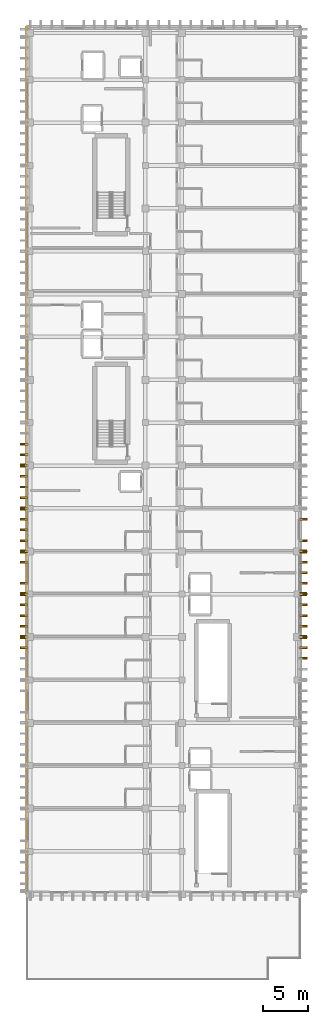
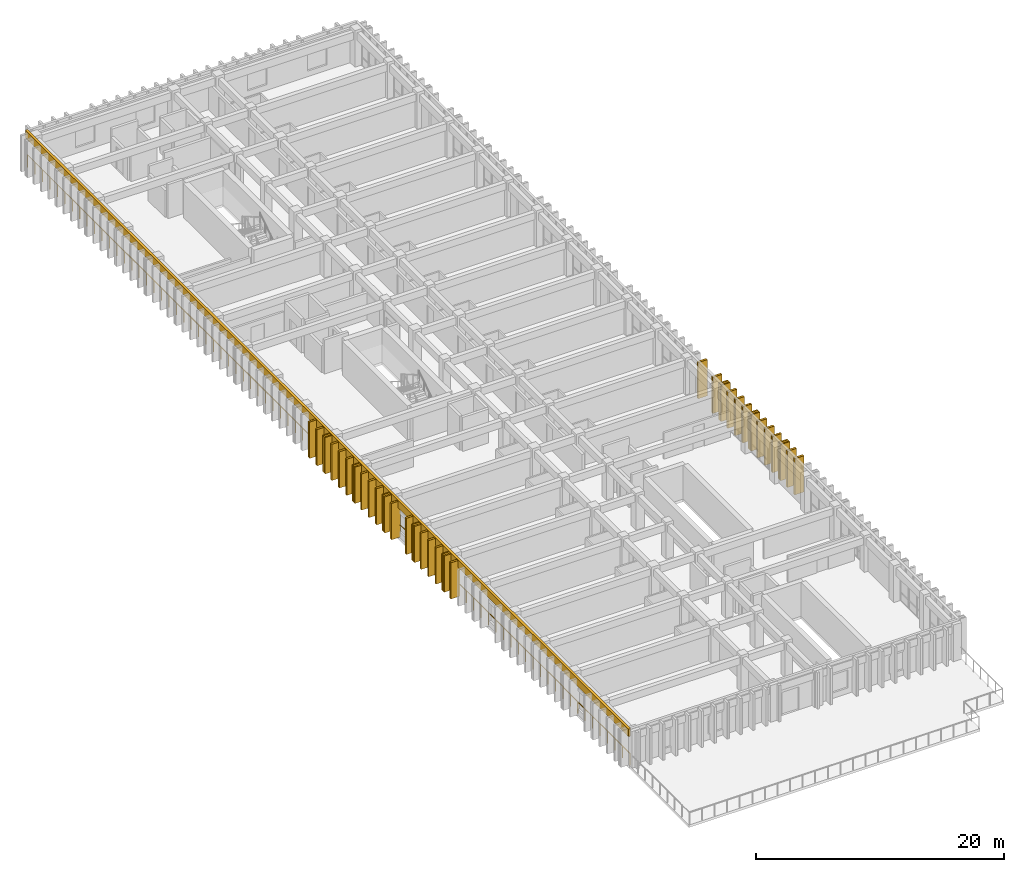
# One storey, part 64 of 68: 33 coverings, 32 shading devices, 1 railing.
"""IFC4 building model written with IfcOpenShell, lengths in metres."""

import ifcopenshell
import ifcopenshell.guid

model = None  # the IFC model being written
_history = None  # IfcOwnerHistory: only IFC2X3 demands one
_inside = {}  # id of a spatial element -> (the spatial element, [elements in it])
_under = {}  # id of a project, library or spatial element -> (it, [spatial elements below it])
_declared = {}  # id of a project -> (the project, [libraries it declares])
_typed = {}  # id of a type object -> (the type object, [elements of that type])
_made_of = {}  # id of a material, layer set ... -> (it, [elements and type objects made of it])


def new_model(schema):
    """Start an empty IFC model of exactly this schema.

    Asked for "IFC4X3", IfcOpenShell would pick the latest addendum, in which some entities
    have other attributes; the version numbers below select the first issue.
    IFC2X3 requires an IfcOwnerHistory on every rooted entity: one is made here for all.
    """
    global model, _history
    if schema == "IFC4X3":
        model = ifcopenshell.file(schema_version=(4, 3, 0, 0))
    else:
        model = ifcopenshell.file(schema=schema)
    _inside.clear()
    _under.clear()
    _declared.clear()
    _typed.clear()
    _made_of.clear()
    _history = None
    if model.schema == "IFC2X3":
        org = make("IfcOrganization", Name="unknown")
        user = make(
            "IfcPersonAndOrganization",
            ThePerson=make("IfcPerson", FamilyName="unknown"),
            TheOrganization=org,
        )
        app = make(
            "IfcApplication",
            ApplicationDeveloper=org,
            Version="unknown",
            ApplicationFullName="unknown",
            ApplicationIdentifier="unknown",
        )
        _history = make(
            "IfcOwnerHistory",
            OwningUser=user,
            OwningApplication=app,
            ChangeAction="ADDED",
            CreationDate=0,
        )
    return model


def make(cls, **values):
    """One entity of the class cls with the attributes given. An attribute that is None is left unset."""
    return model.create_entity(
        cls, **{name: value for name, value in values.items() if value is not None}
    )


def rooted(cls, **values):
    """An entity with a GlobalId (a new one), such as an element, a storey or a relation."""
    return make(cls, GlobalId=ifcopenshell.guid.new(), OwnerHistory=_history, **values)


def si_unit(unit_type, name, prefix=None):
    """IfcSIUnit, for example si_unit("LENGTHUNIT", "METRE", prefix="MILLI")."""
    return make("IfcSIUnit", UnitType=unit_type, Prefix=prefix, Name=name)


def assignment(units):
    """IfcUnitAssignment: the units of a project."""
    return None if units is None else make("IfcUnitAssignment", Units=units)


def point(xyz):
    """IfcCartesianPoint."""
    return None if xyz is None else make("IfcCartesianPoint", Coordinates=xyz)


def direction(xyz):
    """IfcDirection."""
    return None if xyz is None else make("IfcDirection", DirectionRatios=xyz)


def frame(location, z_axis=None, x_axis=None):
    """IfcAxis2Placement3D, a coordinate frame: its origin and axes. An axis left out is left unset."""
    return make(
        "IfcAxis2Placement3D",
        Location=point(location),
        Axis=direction(z_axis),
        RefDirection=direction(x_axis),
    )


def frame_2d(location, x_axis=None):
    """IfcAxis2Placement2D, a coordinate frame in the plane: its origin and x axis."""
    return make(
        "IfcAxis2Placement2D", Location=point(location), RefDirection=direction(x_axis)
    )


def origin():
    """The frame at (0, 0, 0) with its axes left unset."""
    return frame((0.0, 0.0, 0.0))


def origin_2d():
    """The frame at (0, 0) in the plane with its x axis left unset."""
    return frame_2d((0.0, 0.0))


def place(relative_to, where):
    """IfcLocalPlacement: puts the frame where relative to a parent placement (None: the world)."""
    return make(
        "IfcLocalPlacement", PlacementRelTo=relative_to, RelativePlacement=where
    )


def context(
    kind, dimensions, precision=None, world=None, true_north=None, identifier=None
):
    """IfcGeometricRepresentationContext, for example the 3D "Model" context."""
    return make(
        "IfcGeometricRepresentationContext",
        ContextIdentifier=identifier,
        ContextType=kind,
        CoordinateSpaceDimension=dimensions,
        Precision=precision,
        WorldCoordinateSystem=world,
        TrueNorth=true_north,
    )


def subcontext(parent, identifier, kind, view, scale=None):
    """IfcGeometricRepresentationSubContext, for example "Body" below "Model"."""
    return make(
        "IfcGeometricRepresentationSubContext",
        ContextIdentifier=identifier,
        ContextType=kind,
        ParentContext=parent,
        TargetScale=scale,
        TargetView=view,
    )


def project(units=None, contexts=None):
    """IfcProject with its units and contexts."""
    return rooted(
        "IfcProject",
        Name="project",
        RepresentationContexts=contexts,
        UnitsInContext=assignment(units),
    )


def spatial(cls, under=None, at=None, **own):
    """A site, building, storey or space (cls), placed at a placement, below another one or the project."""
    s = rooted(cls, ObjectPlacement=at, **own)
    if under is not None:
        _under.setdefault(under.id(), (under, []))[1].append(s)
    return s


def profile(cls, at=None, kind="AREA", **sizes):
    """A parametric profile (cls). Its sizes go by their IFC names, for example OverallWidth=200.0."""
    return make(cls, ProfileType=kind, Position=at, **sizes)


def rectangle(**sizes):
    """IfcRectangleProfileDef."""
    return profile("IfcRectangleProfileDef", **sizes)


def circle(**sizes):
    """IfcCircleProfileDef."""
    return profile("IfcCircleProfileDef", **sizes)


def extrude(swept, where, along, depth):
    """IfcExtrudedAreaSolid: the profile swept, set in the frame where, extruded along a direction by depth."""
    return make(
        "IfcExtrudedAreaSolid",
        SweptArea=swept,
        Position=where,
        ExtrudedDirection=direction(along),
        Depth=depth,
    )


def shape(context_of_items, identifier, shape_type, items):
    """IfcShapeRepresentation: the items that make up one representation, for example the "Body"."""
    return make(
        "IfcShapeRepresentation",
        ContextOfItems=context_of_items,
        RepresentationIdentifier=identifier,
        RepresentationType=shape_type,
        Items=items,
    )


def material(Name=None, Category=None):
    """IfcMaterial."""
    return make("IfcMaterial", Name=Name, Category=Category)


def layer(
    of_material, thickness, ventilated=None, Name=None, Category=None, Priority=None
):
    """IfcMaterialLayer: one layer of a wall or slab, of a material (None: an air gap)."""
    return make(
        "IfcMaterialLayer",
        Material=of_material,
        LayerThickness=thickness,
        IsVentilated=ventilated,
        Name=Name,
        Category=Category,
        Priority=Priority,
    )


def layer_set(layers, Name=None):
    """IfcMaterialLayerSet."""
    return make("IfcMaterialLayerSet", MaterialLayers=layers, LayerSetName=Name)


def made_of(thing, what):
    """Note that an element or type object is made of a material, layer set ...; save() writes the relation."""
    if what is not None:
        _made_of.setdefault(what.id(), (what, []))[1].append(thing)
    return thing


def type_object(cls, material=None, **own):
    """A type object (cls), such as IfcWallType, which elements share."""
    return made_of(rooted(cls, **own), material)


def element(
    cls,
    number,
    at=None,
    inside=None,
    cuts=None,
    type_object=None,
    material=None,
    context=None,
    identifier="Body",
    shape_type=None,
    held_by="IfcProductDefinitionShape",
    body=None,
    shapes=None,
    **own,
):
    """One element of the class cls, such as IfcWall. Its Tag is "e" and its number.

    at: its placement. inside: the storey or other place that contains it. cuts: it is an
    opening in that element (IfcRelVoidsElement). A single representation is given by context,
    identifier, shape_type and body (its items); several are given by shapes. held_by: the class
    of the entity that holds the representations. save() writes the other relations.
    """
    e = rooted(cls, Tag="e%d" % number, ObjectPlacement=at, **own)
    if body is not None:
        shapes = [shape(context, identifier, shape_type, body)]
    if shapes is not None:
        e.Representation = make(held_by, Representations=shapes)
    if inside is not None:
        _inside.setdefault(inside.id(), (inside, []))[1].append(e)
    if cuts is not None:
        rooted(
            "IfcRelVoidsElement", RelatingBuildingElement=cuts, RelatedOpeningElement=e
        )
    if type_object is not None:
        _typed.setdefault(type_object.id(), (type_object, []))[1].append(e)
    return made_of(e, material)


def aggregate(whole, parts):
    """IfcRelAggregates: a whole, such as a stair, and the parts it consists of."""
    return rooted("IfcRelAggregates", RelatingObject=whole, RelatedObjects=parts)


def save(model, path):
    """Write the relations noted so far, then the file.

    IfcRelAggregates (storeys below a building ...), IfcRelContainedInSpatialStructure (elements
    in a storey), IfcRelDefinesByType, IfcRelAssociatesMaterial and IfcRelDeclares: one each for
    every whole, place, type object, material and project.
    """
    for whole, parts in _under.values():
        aggregate(whole, parts)
    for where, things in _inside.values():
        rooted(
            "IfcRelContainedInSpatialStructure",
            RelatedElements=things,
            RelatingStructure=where,
        )
    for kind, things in _typed.values():
        rooted("IfcRelDefinesByType", RelatedObjects=things, RelatingType=kind)
    for what, things in _made_of.values():
        rooted("IfcRelAssociatesMaterial", RelatedObjects=things, RelatingMaterial=what)
    for by, libraries in _declared.values():
        rooted("IfcRelDeclares", RelatingContext=by, RelatedDefinitions=libraries)
    model.write(path)


model = new_model("IFC4")

# Units and contexts
model_context = context("Model", 3, precision=1e-05, world=origin(), true_north=direction((0.0, 1.0)))
body_context = subcontext(model_context, "Body", "Model", "MODEL_VIEW")
ifc_project = project(units=[si_unit("LENGTHUNIT", "METRE"), si_unit("AREAUNIT", "SQUARE_METRE"), si_unit("VOLUMEUNIT", "CUBIC_METRE"), si_unit("PLANEANGLEUNIT", "RADIAN"), si_unit("MASSUNIT", "GRAM", prefix="KILO")], contexts=[model_context])

# Site, building, storey
site_placement = place(None, origin())
site = spatial("IfcSite", under=ifc_project, at=site_placement, CompositionType="ELEMENT")
building_placement = place(site_placement, origin())
building = spatial("IfcBuilding", under=site, at=building_placement, Name="Nakhvara Creek Congress Hotel", CompositionType="ELEMENT")
storey_placement = place(building_placement, frame((0.0, 0.0, 24.60009765625)))
storey = spatial("IfcBuildingStorey", under=building, at=storey_placement, Name="L05", CompositionType="ELEMENT", Elevation=24.60009765625)

# Coverings
ifc_material_1 = material(Name="Honed pale Omani limestone architectural cladding", Category="masonry")
ifc_layer_1 = layer(ifc_material_1, 0.219970703125)
ifc_layer_set_1 = layer_set([ifc_layer_1], Name="Honed pale Omani limestone architectural cladding")
covering_type_1 = type_object("IfcCoveringType", Name="COV-FIN-850", PredefinedType="CLADDING", material=ifc_layer_set_1)
for number, where, z_axis, x_axis, name in (
    (1, (180.054931640625, 55.199951171875, -0.000244140625), (0.0, 0.0, 1.0), (0.0, 1.0, 0.0), "Pale Limestone Fin Cladding CF01-1460"),
    (2, (180.054931640625, 56.39990234375, -0.000244140625), (0.0, 0.0, 1.0), (0.0, 1.0, 0.0), "Pale Limestone Fin Cladding CF01-1462"),
    (3, (148.7451171875, 56.39990234375, -0.000244140625), (0.0, 0.0, 1.0), (0.0, 1.0, 0.0), "Pale Limestone Fin Cladding CF01-1463"),
):
    element("IfcCovering", number, at=place(storey_placement, frame(where, z_axis=z_axis, x_axis=x_axis)), inside=storey, type_object=covering_type_1, Name=name, PredefinedType="CLADDING", context=body_context, shape_type="SweptSolid", body=[
        extrude(rectangle(XDim=0.219970703125, YDim=0.85009765625, at=origin_2d()), origin(), (0.0, 0.0, 1.0), 3.56005859375),
    ])
for number, where, z_axis, x_axis, name in (
    (4, (180.054931640625, 57.60009765625, -0.000244140625), (0.0, 0.0, 1.0), (0.0, 1.0, 0.0), "Pale Limestone Fin Cladding CF01-1464"),
    (5, (148.7451171875, 57.60009765625, -0.000244140625), (0.0, 0.0, 1.0), (0.0, 1.0, 0.0), "Pale Limestone Fin Cladding CF01-1465"),
):
    element("IfcCovering", number, at=place(storey_placement, frame(where, z_axis=z_axis, x_axis=x_axis)), inside=storey, type_object=covering_type_1, Name=name, PredefinedType="CLADDING", context=body_context, shape_type="SweptSolid", body=[
        extrude(rectangle(XDim=0.43994140625, YDim=0.85009765625, at=origin_2d()), origin(), (0.0, 0.0, 1.0), 3.56005859375),
    ])
for number, where, z_axis, x_axis, name in (
    (6, (180.054931640625, 58.800048828125, -0.000244140625), (0.0, 0.0, 1.0), (0.0, 1.0, 0.0), "Pale Limestone Fin Cladding CF01-1466"),
    (7, (148.7451171875, 58.800048828125, -0.000244140625), (0.0, 0.0, 1.0), (0.0, 1.0, 0.0), "Pale Limestone Fin Cladding CF01-1467"),
    (8, (180.054931640625, 60.0, -0.000244140625), (0.0, 0.0, 1.0), (0.0, 1.0, 0.0), "Pale Limestone Fin Cladding CF01-1468"),
    (9, (148.7451171875, 60.0, -0.000244140625), (0.0, 0.0, 1.0), (0.0, 1.0, 0.0), "Pale Limestone Fin Cladding CF01-1469"),
    (10, (180.054931640625, 61.199951171875, -0.000244140625), (0.0, 0.0, 1.0), (0.0, 1.0, 0.0), "Pale Limestone Fin Cladding CF01-1470"),
    (11, (148.7451171875, 61.199951171875, -0.000244140625), (0.0, 0.0, 1.0), (0.0, 1.0, 0.0), "Pale Limestone Fin Cladding CF01-1471"),
):
    element("IfcCovering", number, at=place(storey_placement, frame(where, z_axis=z_axis, x_axis=x_axis)), inside=storey, type_object=covering_type_1, Name=name, PredefinedType="CLADDING", context=body_context, shape_type="SweptSolid", body=[
        extrude(rectangle(XDim=0.219970703125, YDim=0.85009765625, at=origin_2d()), origin(), (0.0, 0.0, 1.0), 3.56005859375),
    ])
for number, where, z_axis, x_axis, name in (
    (12, (180.054931640625, 62.39990234375, -0.000244140625), (0.0, 0.0, 1.0), (0.0, 1.0, 0.0), "Pale Limestone Fin Cladding CF01-1472"),
    (13, (148.7451171875, 62.39990234375, -0.000244140625), (0.0, 0.0, 1.0), (0.0, 1.0, 0.0), "Pale Limestone Fin Cladding CF01-1473"),
):
    element("IfcCovering", number, at=place(storey_placement, frame(where, z_axis=z_axis, x_axis=x_axis)), inside=storey, type_object=covering_type_1, Name=name, PredefinedType="CLADDING", context=body_context, shape_type="SweptSolid", body=[
        extrude(rectangle(XDim=0.43994140625, YDim=0.85009765625, at=origin_2d()), origin(), (0.0, 0.0, 1.0), 3.56005859375),
    ])
for number, where, z_axis, x_axis, name in (
    (14, (180.054931640625, 63.60009765625, -0.000244140625), (0.0, 0.0, 1.0), (0.0, 1.0, 0.0), "Pale Limestone Fin Cladding CF01-1474"),
    (15, (148.7451171875, 63.60009765625, -0.000244140625), (0.0, 0.0, 1.0), (0.0, 1.0, 0.0), "Pale Limestone Fin Cladding CF01-1475"),
    (16, (180.054931640625, 64.800048828125, -0.000244140625), (0.0, 0.0, 1.0), (0.0, 1.0, 0.0), "Pale Limestone Fin Cladding CF01-1476"),
    (17, (180.054931640625, 66.0, -0.000244140625), (0.0, 0.0, 1.0), (0.0, 1.0, 0.0), "Pale Limestone Fin Cladding CF01-1477"),
    (18, (148.7451171875, 66.0, -0.000244140625), (0.0, 0.0, 1.0), (0.0, 1.0, 0.0), "Pale Limestone Fin Cladding CF01-1478"),
):
    element("IfcCovering", number, at=place(storey_placement, frame(where, z_axis=z_axis, x_axis=x_axis)), inside=storey, type_object=covering_type_1, Name=name, PredefinedType="CLADDING", context=body_context, shape_type="SweptSolid", body=[
        extrude(rectangle(XDim=0.219970703125, YDim=0.85009765625, at=origin_2d()), origin(), (0.0, 0.0, 1.0), 3.56005859375),
    ])
for number, where, z_axis, x_axis, name in (
    (19, (180.054931640625, 67.199951171875, -0.000244140625), (0.0, 0.0, 1.0), (0.0, 1.0, 0.0), "Pale Limestone Fin Cladding CF01-1479"),
    (20, (148.7451171875, 67.199951171875, -0.000244140625), (0.0, 0.0, 1.0), (0.0, 1.0, 0.0), "Pale Limestone Fin Cladding CF01-1480"),
):
    element("IfcCovering", number, at=place(storey_placement, frame(where, z_axis=z_axis, x_axis=x_axis)), inside=storey, type_object=covering_type_1, Name=name, PredefinedType="CLADDING", context=body_context, shape_type="SweptSolid", body=[
        extrude(rectangle(XDim=0.43994140625, YDim=0.85009765625, at=origin_2d()), origin(), (0.0, 0.0, 1.0), 3.56005859375),
    ])
for number, where, z_axis, x_axis, name in (
    (21, (180.054931640625, 68.39990234375, -0.000244140625), (0.0, 0.0, 1.0), (0.0, 1.0, 0.0), "Pale Limestone Fin Cladding CF01-1481"),
    (22, (148.7451171875, 68.39990234375, -0.000244140625), (0.0, 0.0, 1.0), (0.0, 1.0, 0.0), "Pale Limestone Fin Cladding CF01-1482"),
    (23, (148.7451171875, 69.60009765625, -0.000244140625), (0.0, 0.0, 1.0), (0.0, 1.0, 0.0), "Pale Limestone Fin Cladding CF01-1483"),
    (24, (180.054931640625, 70.800048828125, -0.000244140625), (0.0, 0.0, 1.0), (0.0, 1.0, 0.0), "Pale Limestone Fin Cladding CF01-1484"),
    (25, (148.7451171875, 70.800048828125, -0.000244140625), (0.0, 0.0, 1.0), (0.0, 1.0, 0.0), "Pale Limestone Fin Cladding CF01-1485"),
):
    element("IfcCovering", number, at=place(storey_placement, frame(where, z_axis=z_axis, x_axis=x_axis)), inside=storey, type_object=covering_type_1, Name=name, PredefinedType="CLADDING", context=body_context, shape_type="SweptSolid", body=[
        extrude(rectangle(XDim=0.219970703125, YDim=0.85009765625, at=origin_2d()), origin(), (0.0, 0.0, 1.0), 3.56005859375),
    ])
covering_1_placement = place(storey_placement, frame((148.7451171875, 72.0, -0.000244140625), z_axis=(0.0, 0.0, 1.0), x_axis=(0.0, 1.0, 0.0)))
element("IfcCovering", 26, at=covering_1_placement, inside=storey, type_object=covering_type_1, Name="Pale Limestone Fin Cladding CF01-1487", PredefinedType="CLADDING", context=body_context, shape_type="SweptSolid", body=[
    extrude(rectangle(XDim=0.43994140625, YDim=0.85009765625, at=origin_2d()), origin(), (0.0, 0.0, 1.0), 3.56005859375),
])
for number, where, z_axis, x_axis, name in (
    (27, (148.7451171875, 73.199951171875, -0.000244140625), (0.0, 0.0, 1.0), (0.0, 1.0, 0.0), "Pale Limestone Fin Cladding CF01-1489"),
    (28, (148.7451171875, 74.39990234375, -0.000244140625), (0.0, 0.0, 1.0), (0.0, 1.0, 0.0), "Pale Limestone Fin Cladding CF01-1491"),
    (29, (148.7451171875, 75.60009765625, -0.000244140625), (0.0, 0.0, 1.0), (0.0, 1.0, 0.0), "Pale Limestone Fin Cladding CF01-1493"),
):
    element("IfcCovering", number, at=place(storey_placement, frame(where, z_axis=z_axis, x_axis=x_axis)), inside=storey, type_object=covering_type_1, Name=name, PredefinedType="CLADDING", context=body_context, shape_type="SweptSolid", body=[
        extrude(rectangle(XDim=0.219970703125, YDim=0.85009765625, at=origin_2d()), origin(), (0.0, 0.0, 1.0), 3.56005859375),
    ])
covering_2_placement = place(storey_placement, frame((148.7451171875, 76.800048828125, -0.000244140625), z_axis=(0.0, 0.0, 1.0), x_axis=(0.0, 1.0, 0.0)))
element("IfcCovering", 30, at=covering_2_placement, inside=storey, type_object=covering_type_1, Name="Pale Limestone Fin Cladding CF01-1495", PredefinedType="CLADDING", context=body_context, shape_type="SweptSolid", body=[
    extrude(rectangle(XDim=0.43994140625, YDim=0.85009765625, at=origin_2d()), origin(), (0.0, 0.0, 1.0), 3.56005859375),
])
for number, where, z_axis, x_axis, name in (
    (31, (148.7451171875, 78.0, -0.000244140625), (0.0, 0.0, 1.0), (0.0, 1.0, 0.0), "Pale Limestone Fin Cladding CF01-1497"),
    (32, (148.7451171875, 79.199951171875, -0.000244140625), (0.0, 0.0, 1.0), (0.0, 1.0, 0.0), "Pale Limestone Fin Cladding CF01-1499"),
):
    element("IfcCovering", number, at=place(storey_placement, frame(where, z_axis=z_axis, x_axis=x_axis)), inside=storey, type_object=covering_type_1, Name=name, PredefinedType="CLADDING", context=body_context, shape_type="SweptSolid", body=[
        extrude(rectangle(XDim=0.219970703125, YDim=0.85009765625, at=origin_2d()), origin(), (0.0, 0.0, 1.0), 3.56005859375),
    ])
ifc_layer_2 = layer(ifc_material_1, 0.179931640625)
ifc_layer_set_2 = layer_set([ifc_layer_2], Name="Honed pale Omani limestone architectural cladding")
covering_type_2 = type_object("IfcCoveringType", Name="COV-SPN-180", PredefinedType="CLADDING", material=ifc_layer_set_2)
covering_3_placement = place(storey_placement, frame((149.06005859375, 77.39990234375, 2.909912109375), z_axis=(0.0, 0.0, 1.0), x_axis=(0.0, 1.0, 0.0)))
element("IfcCovering", 33, at=covering_3_placement, inside=storey, type_object=covering_type_2, Name="Pale Limestone Spandrel Band CF02-0062", PredefinedType="CLADDING", context=body_context, shape_type="SweptSolid", body=[
    extrude(rectangle(XDim=97.199951171875, YDim=0.219970703125, at=origin_2d()), origin(), (0.0, 0.0, 1.0), 0.72998046875),
])

# Railing
ifc_material_2 = material(Name="Brushed stainless steel 316L", Category="steel")
railing_type = type_object("IfcRailingType", Name="RL-GUARD-1200", PredefinedType="GUARDRAIL", material=ifc_material_2)
railing_placement = place(storey_placement, frame((149.1298828125, 28.8798828125, 0.0)))
element("IfcRailing", 34, at=railing_placement, inside=storey, type_object=railing_type, Name="Perimeter Safety Rail West L05", PredefinedType="GUARDRAIL", context=body_context, shape_type="SweptSolid", body=[
    extrude(circle(Radius=0.02392578125, at=origin_2d()), frame((0.0, 0.0146484375, 1.17578125), z_axis=(0.0, 1.0, 0.0), x_axis=(-1.0, 0.0, 0.0)), (0.0, 0.0, 1.0), 97.0107421875),
    extrude(circle(Radius=0.02099609375, at=origin_2d()), origin(), (0.0, 0.0, 1.0), 1.1806640625),
    extrude(circle(Radius=0.02099609375, at=origin_2d()), frame((0.0, 1.197998046875, 0.0)), (0.0, 0.0, 1.0), 1.1806640625),
    extrude(circle(Radius=0.02099609375, at=origin_2d()), frame((0.0, 2.39599609375, 0.0)), (0.0, 0.0, 1.0), 1.1806640625),
    extrude(circle(Radius=0.02099609375, at=origin_2d()), frame((0.0, 3.593994140625, 0.0)), (0.0, 0.0, 1.0), 1.1806640625),
    extrude(circle(Radius=0.02099609375, at=origin_2d()), frame((0.0, 4.7919921875, 0.0)), (0.0, 0.0, 1.0), 1.1806640625),
    extrude(circle(Radius=0.02099609375, at=origin_2d()), frame((0.0, 5.990234375, 0.0)), (0.0, 0.0, 1.0), 1.1806640625),
    extrude(circle(Radius=0.02099609375, at=origin_2d()), frame((0.0, 7.188232421875, 0.0)), (0.0, 0.0, 1.0), 1.1806640625),
    extrude(circle(Radius=0.02099609375, at=origin_2d()), frame((0.0, 8.38623046875, 0.0)), (0.0, 0.0, 1.0), 1.1806640625),
    extrude(circle(Radius=0.02099609375, at=origin_2d()), frame((0.0, 9.584228515625, 0.0)), (0.0, 0.0, 1.0), 1.1806640625),
    extrude(circle(Radius=0.02099609375, at=origin_2d()), frame((0.0, 10.7822265625, 0.0)), (0.0, 0.0, 1.0), 1.1806640625),
    extrude(circle(Radius=0.02099609375, at=origin_2d()), frame((0.0, 11.980224609375, 0.0)), (0.0, 0.0, 1.0), 1.1806640625),
    extrude(circle(Radius=0.02099609375, at=origin_2d()), frame((0.0, 13.17822265625, 0.0)), (0.0, 0.0, 1.0), 1.1806640625),
    extrude(circle(Radius=0.02099609375, at=origin_2d()), frame((0.0, 14.376220703125, 0.0)), (0.0, 0.0, 1.0), 1.1806640625),
    extrude(circle(Radius=0.02099609375, at=origin_2d()), frame((0.0, 15.57421875, 0.0)), (0.0, 0.0, 1.0), 1.1806640625),
    extrude(circle(Radius=0.02099609375, at=origin_2d()), frame((0.0, 16.7724609375, 0.0)), (0.0, 0.0, 1.0), 1.1806640625),
    extrude(circle(Radius=0.02099609375, at=origin_2d()), frame((0.0, 17.970458984375, 0.0)), (0.0, 0.0, 1.0), 1.1806640625),
    extrude(circle(Radius=0.02099609375, at=origin_2d()), frame((0.0, 19.16845703125, 0.0)), (0.0, 0.0, 1.0), 1.1806640625),
    extrude(circle(Radius=0.02099609375, at=origin_2d()), frame((0.0, 20.366455078125, 0.0)), (0.0, 0.0, 1.0), 1.1806640625),
    extrude(circle(Radius=0.02099609375, at=origin_2d()), frame((0.0, 21.564453125, 0.0)), (0.0, 0.0, 1.0), 1.1806640625),
    extrude(circle(Radius=0.02099609375, at=origin_2d()), frame((0.0, 22.762451171875, 0.0)), (0.0, 0.0, 1.0), 1.1806640625),
    extrude(circle(Radius=0.02099609375, at=origin_2d()), frame((0.0, 23.96044921875, 0.0)), (0.0, 0.0, 1.0), 1.1806640625),
    extrude(circle(Radius=0.02099609375, at=origin_2d()), frame((0.0, 25.158447265625, 0.0)), (0.0, 0.0, 1.0), 1.1806640625),
    extrude(circle(Radius=0.02099609375, at=origin_2d()), frame((0.0, 26.3564453125, 0.0)), (0.0, 0.0, 1.0), 1.1806640625),
    extrude(circle(Radius=0.02099609375, at=origin_2d()), frame((0.0, 27.5546875, 0.0)), (0.0, 0.0, 1.0), 1.1806640625),
    extrude(circle(Radius=0.02099609375, at=origin_2d()), frame((0.0, 28.752685546875, 0.0)), (0.0, 0.0, 1.0), 1.1806640625),
    extrude(circle(Radius=0.02099609375, at=origin_2d()), frame((0.0, 29.95068359375, 0.0)), (0.0, 0.0, 1.0), 1.1806640625),
    extrude(circle(Radius=0.02099609375, at=origin_2d()), frame((0.0, 31.148681640625, 0.0)), (0.0, 0.0, 1.0), 1.1806640625),
    extrude(circle(Radius=0.02099609375, at=origin_2d()), frame((0.0, 32.3466796875, 0.0)), (0.0, 0.0, 1.0), 1.1806640625),
    extrude(circle(Radius=0.02099609375, at=origin_2d()), frame((0.0, 33.544677734375, 0.0)), (0.0, 0.0, 1.0), 1.1806640625),
    extrude(circle(Radius=0.02099609375, at=origin_2d()), frame((0.0, 34.74267578125, 0.0)), (0.0, 0.0, 1.0), 1.1806640625),
    extrude(circle(Radius=0.02099609375, at=origin_2d()), frame((0.0, 35.940673828125, 0.0)), (0.0, 0.0, 1.0), 1.1806640625),
    extrude(circle(Radius=0.02099609375, at=origin_2d()), frame((0.0, 37.138671875, 0.0)), (0.0, 0.0, 1.0), 1.1806640625),
    extrude(circle(Radius=0.02099609375, at=origin_2d()), frame((0.0, 38.3369140625, 0.0)), (0.0, 0.0, 1.0), 1.1806640625),
    extrude(circle(Radius=0.02099609375, at=origin_2d()), frame((0.0, 39.534912109375, 0.0)), (0.0, 0.0, 1.0), 1.1806640625),
    extrude(circle(Radius=0.02099609375, at=origin_2d()), frame((0.0, 40.73291015625, 0.0)), (0.0, 0.0, 1.0), 1.1806640625),
    extrude(circle(Radius=0.02099609375, at=origin_2d()), frame((0.0, 41.930908203125, 0.0)), (0.0, 0.0, 1.0), 1.1806640625),
    extrude(circle(Radius=0.02099609375, at=origin_2d()), frame((0.0, 43.12890625, 0.0)), (0.0, 0.0, 1.0), 1.1806640625),
    extrude(circle(Radius=0.02099609375, at=origin_2d()), frame((0.0, 44.326904296875, 0.0)), (0.0, 0.0, 1.0), 1.1806640625),
    extrude(circle(Radius=0.02099609375, at=origin_2d()), frame((0.0, 45.52490234375, 0.0)), (0.0, 0.0, 1.0), 1.1806640625),
    extrude(circle(Radius=0.02099609375, at=origin_2d()), frame((0.0, 46.722900390625, 0.0)), (0.0, 0.0, 1.0), 1.1806640625),
    extrude(circle(Radius=0.02099609375, at=origin_2d()), frame((0.0, 47.9208984375, 0.0)), (0.0, 0.0, 1.0), 1.1806640625),
    extrude(circle(Radius=0.02099609375, at=origin_2d()), frame((0.0, 49.119140625, 0.0)), (0.0, 0.0, 1.0), 1.1806640625),
    extrude(circle(Radius=0.02099609375, at=origin_2d()), frame((0.0, 50.317138671875, 0.0)), (0.0, 0.0, 1.0), 1.1806640625),
    extrude(circle(Radius=0.02099609375, at=origin_2d()), frame((0.0, 51.51513671875, 0.0)), (0.0, 0.0, 1.0), 1.1806640625),
    extrude(circle(Radius=0.02099609375, at=origin_2d()), frame((0.0, 52.713134765625, 0.0)), (0.0, 0.0, 1.0), 1.1806640625),
    extrude(circle(Radius=0.02099609375, at=origin_2d()), frame((0.0, 53.9111328125, 0.0)), (0.0, 0.0, 1.0), 1.1806640625),
    extrude(circle(Radius=0.02099609375, at=origin_2d()), frame((0.0, 55.109130859375, 0.0)), (0.0, 0.0, 1.0), 1.1806640625),
    extrude(circle(Radius=0.02099609375, at=origin_2d()), frame((0.0, 56.30712890625, 0.0)), (0.0, 0.0, 1.0), 1.1806640625),
    extrude(circle(Radius=0.02099609375, at=origin_2d()), frame((0.0, 57.505126953125, 0.0)), (0.0, 0.0, 1.0), 1.1806640625),
    extrude(circle(Radius=0.02099609375, at=origin_2d()), frame((0.0, 58.703125, 0.0)), (0.0, 0.0, 1.0), 1.1806640625),
    extrude(circle(Radius=0.02099609375, at=origin_2d()), frame((0.0, 59.9013671875, 0.0)), (0.0, 0.0, 1.0), 1.1806640625),
    extrude(circle(Radius=0.02099609375, at=origin_2d()), frame((0.0, 61.099365234375, 0.0)), (0.0, 0.0, 1.0), 1.1806640625),
    extrude(circle(Radius=0.02099609375, at=origin_2d()), frame((0.0, 62.29736328125, 0.0)), (0.0, 0.0, 1.0), 1.1806640625),
    extrude(circle(Radius=0.02099609375, at=origin_2d()), frame((0.0, 63.495361328125, 0.0)), (0.0, 0.0, 1.0), 1.1806640625),
    extrude(circle(Radius=0.02099609375, at=origin_2d()), frame((0.0, 64.693359375, 0.0)), (0.0, 0.0, 1.0), 1.1806640625),
    extrude(circle(Radius=0.02099609375, at=origin_2d()), frame((0.0, 65.891357421875, 0.0)), (0.0, 0.0, 1.0), 1.1806640625),
    extrude(circle(Radius=0.02099609375, at=origin_2d()), frame((0.0, 67.08935546875, 0.0)), (0.0, 0.0, 1.0), 1.1806640625),
    extrude(circle(Radius=0.02099609375, at=origin_2d()), frame((0.0, 68.287353515625, 0.0)), (0.0, 0.0, 1.0), 1.1806640625),
    extrude(circle(Radius=0.02099609375, at=origin_2d()), frame((0.0, 69.4853515625, 0.0)), (0.0, 0.0, 1.0), 1.1806640625),
    extrude(circle(Radius=0.02099609375, at=origin_2d()), frame((0.0, 70.68359375, 0.0)), (0.0, 0.0, 1.0), 1.1806640625),
    extrude(circle(Radius=0.02099609375, at=origin_2d()), frame((0.0, 71.881591796875, 0.0)), (0.0, 0.0, 1.0), 1.1806640625),
    extrude(circle(Radius=0.02099609375, at=origin_2d()), frame((0.0, 73.07958984375, 0.0)), (0.0, 0.0, 1.0), 1.1806640625),
    extrude(circle(Radius=0.02099609375, at=origin_2d()), frame((0.0, 74.277587890625, 0.0)), (0.0, 0.0, 1.0), 1.1806640625),
    extrude(circle(Radius=0.02099609375, at=origin_2d()), frame((0.0, 75.4755859375, 0.0)), (0.0, 0.0, 1.0), 1.1806640625),
    extrude(circle(Radius=0.02099609375, at=origin_2d()), frame((0.0, 76.673583984375, 0.0)), (0.0, 0.0, 1.0), 1.1806640625),
    extrude(circle(Radius=0.02099609375, at=origin_2d()), frame((0.0, 77.87158203125, 0.0)), (0.0, 0.0, 1.0), 1.1806640625),
    extrude(circle(Radius=0.02099609375, at=origin_2d()), frame((0.0, 79.069580078125, 0.0)), (0.0, 0.0, 1.0), 1.1806640625),
    extrude(circle(Radius=0.02099609375, at=origin_2d()), frame((0.0, 80.267578125, 0.0)), (0.0, 0.0, 1.0), 1.1806640625),
    extrude(circle(Radius=0.02099609375, at=origin_2d()), frame((0.0, 81.4658203125, 0.0)), (0.0, 0.0, 1.0), 1.1806640625),
    extrude(circle(Radius=0.02099609375, at=origin_2d()), frame((0.0, 82.663818359375, 0.0)), (0.0, 0.0, 1.0), 1.1806640625),
    extrude(circle(Radius=0.02099609375, at=origin_2d()), frame((0.0, 83.86181640625, 0.0)), (0.0, 0.0, 1.0), 1.1806640625),
    extrude(circle(Radius=0.02099609375, at=origin_2d()), frame((0.0, 85.059814453125, 0.0)), (0.0, 0.0, 1.0), 1.1806640625),
    extrude(circle(Radius=0.02099609375, at=origin_2d()), frame((0.0, 86.2578125, 0.0)), (0.0, 0.0, 1.0), 1.1806640625),
    extrude(circle(Radius=0.02099609375, at=origin_2d()), frame((0.0, 87.455810546875, 0.0)), (0.0, 0.0, 1.0), 1.1806640625),
    extrude(circle(Radius=0.02099609375, at=origin_2d()), frame((0.0, 88.65380859375, 0.0)), (0.0, 0.0, 1.0), 1.1806640625),
    extrude(circle(Radius=0.02099609375, at=origin_2d()), frame((0.0, 89.851806640625, 0.0)), (0.0, 0.0, 1.0), 1.1806640625),
    extrude(circle(Radius=0.02099609375, at=origin_2d()), frame((0.0, 91.0498046875, 0.0)), (0.0, 0.0, 1.0), 1.1806640625),
    extrude(circle(Radius=0.02099609375, at=origin_2d()), frame((0.0, 92.248046875, 0.0)), (0.0, 0.0, 1.0), 1.1806640625),
    extrude(circle(Radius=0.02099609375, at=origin_2d()), frame((0.0, 93.446044921875, 0.0)), (0.0, 0.0, 1.0), 1.1806640625),
    extrude(circle(Radius=0.02099609375, at=origin_2d()), frame((0.0, 94.64404296875, 0.0)), (0.0, 0.0, 1.0), 1.1806640625),
    extrude(circle(Radius=0.02099609375, at=origin_2d()), frame((0.0, 95.842041015625, 0.0)), (0.0, 0.0, 1.0), 1.1806640625),
    extrude(circle(Radius=0.02099609375, at=origin_2d()), frame((0.0, 97.0400390625, 0.0)), (0.0, 0.0, 1.0), 1.1806640625),
])

# Shading devices
ifc_material_3 = material(Name="Honed pale Omani limestone cladding on stainless steel spine", Category="masonry")
shading_device_type = type_object("IfcShadingDeviceType", Name="SHD-FIN-850X3600", PredefinedType="USERDEFINED", material=ifc_material_3)
for number, where, z_axis, x_axis, name in (
    (35, (180.054931640625, 55.199951171875, -0.000244140625), (0.0, 0.0, 1.0), (0.0, 1.0, 0.0), "Limestone Solar Fin FN01-1325"),
    (36, (180.054931640625, 56.39990234375, -0.000244140625), (0.0, 0.0, 1.0), (0.0, 1.0, 0.0), "Limestone Solar Fin FN01-1327"),
    (37, (148.7451171875, 56.39990234375, -0.000244140625), (0.0, 0.0, 1.0), (0.0, 1.0, 0.0), "Limestone Solar Fin FN01-1328"),
    (38, (180.054931640625, 57.60009765625, -0.000244140625), (0.0, 0.0, 1.0), (0.0, 1.0, 0.0), "Limestone Solar Fin FN01-1329"),
    (39, (148.7451171875, 57.60009765625, -0.000244140625), (0.0, 0.0, 1.0), (0.0, 1.0, 0.0), "Limestone Solar Fin FN01-1330"),
    (40, (180.054931640625, 58.800048828125, -0.000244140625), (0.0, 0.0, 1.0), (0.0, 1.0, 0.0), "Limestone Solar Fin FN01-1331"),
    (41, (148.7451171875, 58.800048828125, -0.000244140625), (0.0, 0.0, 1.0), (0.0, 1.0, 0.0), "Limestone Solar Fin FN01-1332"),
    (42, (180.054931640625, 60.0, -0.000244140625), (0.0, 0.0, 1.0), (0.0, 1.0, 0.0), "Limestone Solar Fin FN01-1333"),
    (43, (148.7451171875, 60.0, -0.000244140625), (0.0, 0.0, 1.0), (0.0, 1.0, 0.0), "Limestone Solar Fin FN01-1334"),
    (44, (180.054931640625, 61.199951171875, -0.000244140625), (0.0, 0.0, 1.0), (0.0, 1.0, 0.0), "Limestone Solar Fin FN01-1335"),
    (45, (148.7451171875, 61.199951171875, -0.000244140625), (0.0, 0.0, 1.0), (0.0, 1.0, 0.0), "Limestone Solar Fin FN01-1336"),
    (46, (180.054931640625, 62.39990234375, -0.000244140625), (0.0, 0.0, 1.0), (0.0, 1.0, 0.0), "Limestone Solar Fin FN01-1337"),
    (47, (148.7451171875, 62.39990234375, -0.000244140625), (0.0, 0.0, 1.0), (0.0, 1.0, 0.0), "Limestone Solar Fin FN01-1338"),
    (48, (180.054931640625, 63.60009765625, -0.000244140625), (0.0, 0.0, 1.0), (0.0, 1.0, 0.0), "Limestone Solar Fin FN01-1339"),
    (49, (148.7451171875, 63.60009765625, -0.000244140625), (0.0, 0.0, 1.0), (0.0, 1.0, 0.0), "Limestone Solar Fin FN01-1340"),
    (50, (180.054931640625, 64.800048828125, -0.000244140625), (0.0, 0.0, 1.0), (0.0, 1.0, 0.0), "Limestone Solar Fin FN01-1341"),
    (51, (180.054931640625, 66.0, -0.000244140625), (0.0, 0.0, 1.0), (0.0, 1.0, 0.0), "Limestone Solar Fin FN01-1342"),
    (52, (148.7451171875, 66.0, -0.000244140625), (0.0, 0.0, 1.0), (0.0, 1.0, 0.0), "Limestone Solar Fin FN01-1343"),
    (53, (180.054931640625, 67.199951171875, -0.000244140625), (0.0, 0.0, 1.0), (0.0, 1.0, 0.0), "Limestone Solar Fin FN01-1344"),
    (54, (148.7451171875, 67.199951171875, -0.000244140625), (0.0, 0.0, 1.0), (0.0, 1.0, 0.0), "Limestone Solar Fin FN01-1345"),
    (55, (180.054931640625, 68.39990234375, -0.000244140625), (0.0, 0.0, 1.0), (0.0, 1.0, 0.0), "Limestone Solar Fin FN01-1346"),
    (56, (148.7451171875, 68.39990234375, -0.000244140625), (0.0, 0.0, 1.0), (0.0, 1.0, 0.0), "Limestone Solar Fin FN01-1347"),
    (57, (148.7451171875, 69.60009765625, -0.000244140625), (0.0, 0.0, 1.0), (0.0, 1.0, 0.0), "Limestone Solar Fin FN01-1348"),
    (58, (180.054931640625, 70.800048828125, -0.000244140625), (0.0, 0.0, 1.0), (0.0, 1.0, 0.0), "Limestone Solar Fin FN01-1349"),
    (59, (148.7451171875, 70.800048828125, -0.000244140625), (0.0, 0.0, 1.0), (0.0, 1.0, 0.0), "Limestone Solar Fin FN01-1350"),
    (60, (148.7451171875, 72.0, -0.000244140625), (0.0, 0.0, 1.0), (0.0, 1.0, 0.0), "Limestone Solar Fin FN01-1352"),
    (61, (148.7451171875, 73.199951171875, -0.000244140625), (0.0, 0.0, 1.0), (0.0, 1.0, 0.0), "Limestone Solar Fin FN01-1354"),
    (62, (148.7451171875, 74.39990234375, -0.000244140625), (0.0, 0.0, 1.0), (0.0, 1.0, 0.0), "Limestone Solar Fin FN01-1356"),
    (63, (148.7451171875, 75.60009765625, -0.000244140625), (0.0, 0.0, 1.0), (0.0, 1.0, 0.0), "Limestone Solar Fin FN01-1358"),
    (64, (148.7451171875, 76.800048828125, -0.000244140625), (0.0, 0.0, 1.0), (0.0, 1.0, 0.0), "Limestone Solar Fin FN01-1360"),
    (65, (148.7451171875, 78.0, -0.000244140625), (0.0, 0.0, 1.0), (0.0, 1.0, 0.0), "Limestone Solar Fin FN01-1362"),
    (66, (148.7451171875, 79.199951171875, -0.000244140625), (0.0, 0.0, 1.0), (0.0, 1.0, 0.0), "Limestone Solar Fin FN01-1364"),
):
    element("IfcShadingDevice", number, at=place(storey_placement, frame(where, z_axis=z_axis, x_axis=x_axis)), inside=storey, type_object=shading_device_type, Name=name, ObjectType="FIN", PredefinedType="USERDEFINED", context=body_context, shape_type="SweptSolid", body=[
        extrude(rectangle(XDim=0.179931640625, YDim=0.85009765625, at=origin_2d()), origin(), (0.0, 0.0, 1.0), 3.56005859375),
    ])

save(model, "model.ifc")
